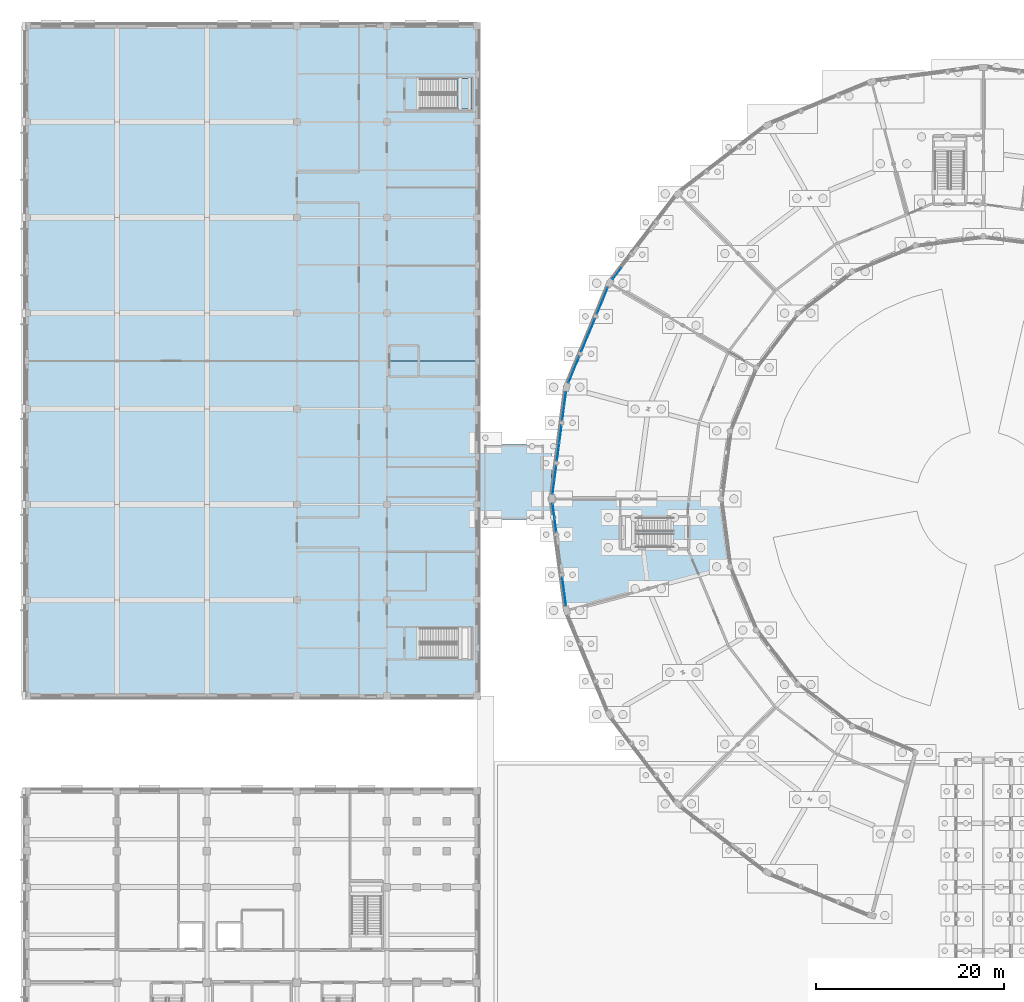
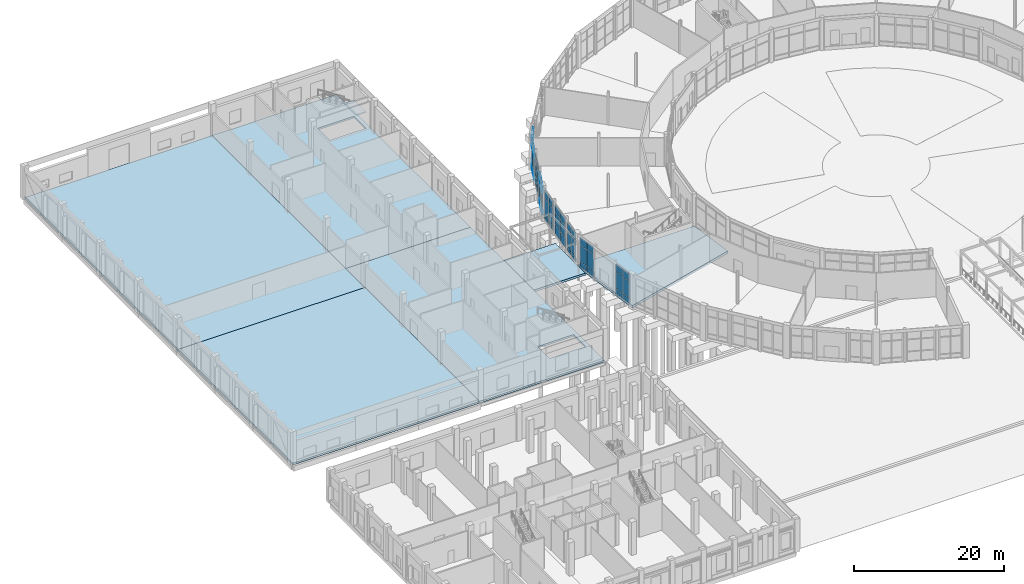
# One storey, part 88 of 137: 51 plates, 7 slabs, 10 elements without a shape of their own.
"""IFC4 building model written with IfcOpenShell, lengths in metres."""

from ifc_helpers import new_model, si_unit, direction, frame, origin, origin_2d, place, context, subcontext, project, spatial, polyline, rectangle, outline, extrude, material, layer, layer_set, type_object, element, aggregate, save


model = new_model("IFC4")

# Units and contexts
model_context = context("Model", 3, precision=1e-05, world=origin(), true_north=direction((0.0, 1.0)))
body_context = subcontext(model_context, "Body", "Model", "MODEL_VIEW")
ifc_project = project(units=[si_unit("LENGTHUNIT", "METRE"), si_unit("AREAUNIT", "SQUARE_METRE"), si_unit("VOLUMEUNIT", "CUBIC_METRE"), si_unit("PLANEANGLEUNIT", "RADIAN"), si_unit("MASSUNIT", "GRAM", prefix="KILO")], contexts=[model_context])

# Site, building, storey
site_placement = place(None, origin())
site = spatial("IfcSite", under=ifc_project, at=site_placement, CompositionType="ELEMENT")
building_placement = place(site_placement, origin())
building = spatial("IfcBuilding", under=site, at=building_placement, Name="Vondelvale Polytechnic", CompositionType="ELEMENT")
storey_placement = place(building_placement, origin())
storey = spatial("IfcBuildingStorey", under=building, at=storey_placement, Name="L00", CompositionType="ELEMENT", Elevation=0.0)

# Curtain wall, plates
ifc_material_1 = material(Name="Glulam GL18 structural Tasmanian oak (fb = 42 MPa)", Category="wood")
curtain_wall_type = type_object("IfcCurtainWallType", Name="CW-RING-OUTER", PredefinedType="NOTDEFINED", material=ifc_material_1)
curtain_wall_1_placement = place(storey_placement, origin())
curtain_wall_1 = element("IfcCurtainWall", 1, at=curtain_wall_1_placement, inside=storey, type_object=curtain_wall_type, Name="L00 architectural curtain wall CW-04-212", PredefinedType="NOTDEFINED")
ifc_material_2 = material(Name="Double-glazed low-E insulated architectural glass", Category="glass")
ifc_layer_1 = layer(ifc_material_2, 0.028076171875)
ifc_layer_set_1 = layer_set([ifc_layer_1], Name="CW-PANEL-GLAZED")
plate_type_1 = type_object("IfcPlateType", Name="CW-PANEL-GLAZED", PredefinedType="CURTAIN_PANEL", material=ifc_layer_set_1)
plate_1_placement = place(storey_placement, frame((62.939697265625, 96.012451171875, 0.8798828125), z_axis=(0.0, 0.0, 1.0), x_axis=(-0.608763610584, -0.793351666305, 0.0)))
plate_1 = element("IfcPlate", 2, at=plate_1_placement, type_object=plate_type_1, Name="CW-04-212 panel 2.2", PredefinedType="CURTAIN_PANEL", context=body_context, shape_type="SweptSolid", body=[
    extrude(rectangle(XDim=1.454345703125, YDim=0.028076171875, at=origin_2d()), origin(), (0.0, 0.0, 1.0), 2.659912109375),
])
plate_2_placement = place(storey_placement, frame((62.939697265625, 96.012451171875, 3.60009765625), z_axis=(0.0, 0.0, 1.0), x_axis=(-0.608763610584, -0.793351666305, 0.0)))
plate_2 = element("IfcPlate", 3, at=plate_2_placement, type_object=plate_type_1, Name="CW-04-212 panel 2.3", PredefinedType="CURTAIN_PANEL", context=body_context, shape_type="SweptSolid", body=[
    extrude(rectangle(XDim=1.454345703125, YDim=0.028076171875, at=origin_2d()), origin(), (0.0, 0.0, 1.0), 1.260009765625),
])

curtain_wall_2_placement = place(storey_placement, origin())
curtain_wall_2 = element("IfcCurtainWall", 4, at=curtain_wall_2_placement, inside=storey, type_object=curtain_wall_type, Name="L00 architectural curtain wall CW-04-226", PredefinedType="NOTDEFINED")
plate_3_placement = place(storey_placement, frame((61.674560546875, 93.821044921875, 0.77978515625), z_axis=(0.0, 0.0, 1.0), x_axis=(-0.382679040691, -0.92388135159, 0.0)))
plate_3 = element("IfcPlate", 5, at=plate_3_placement, type_object=plate_type_1, Name="CW-04-226 panel 1.2", PredefinedType="CURTAIN_PANEL", context=body_context, shape_type="SweptSolid", body=[
    extrude(rectangle(XDim=1.454345703125, YDim=0.028076171875, at=origin_2d()), origin(), (0.0, 0.0, 1.0), 2.760009765625),
])
plate_4_placement = place(storey_placement, frame((61.674560546875, 93.821044921875, 3.60009765625), z_axis=(0.0, 0.0, 1.0), x_axis=(-0.382679040691, -0.92388135159, 0.0)))
plate_4 = element("IfcPlate", 6, at=plate_4_placement, type_object=plate_type_1, Name="CW-04-226 panel 1.3", PredefinedType="CURTAIN_PANEL", context=body_context, shape_type="SweptSolid", body=[
    extrude(rectangle(XDim=1.454345703125, YDim=0.028076171875, at=origin_2d()), origin(), (0.0, 0.0, 1.0), 1.260009765625),
])
plate_5_placement = place(storey_placement, frame((61.093017578125, 92.417236328125, 0.77978515625), z_axis=(0.0, 0.0, 1.0), x_axis=(-0.382679040691, -0.92388135159, 0.0)))
plate_5 = element("IfcPlate", 7, at=plate_5_placement, type_object=plate_type_1, Name="CW-04-226 panel 2.2", PredefinedType="CURTAIN_PANEL", context=body_context, shape_type="SweptSolid", body=[
    extrude(rectangle(XDim=1.454345703125, YDim=0.028076171875, at=origin_2d()), origin(), (0.0, 0.0, 1.0), 2.760009765625),
])
plate_6_placement = place(storey_placement, frame((61.093017578125, 92.417236328125, 3.60009765625), z_axis=(0.0, 0.0, 1.0), x_axis=(-0.382679040691, -0.92388135159, 0.0)))
plate_6 = element("IfcPlate", 8, at=plate_6_placement, type_object=plate_type_1, Name="CW-04-226 panel 2.3", PredefinedType="CURTAIN_PANEL", context=body_context, shape_type="SweptSolid", body=[
    extrude(rectangle(XDim=1.454345703125, YDim=0.028076171875, at=origin_2d()), origin(), (0.0, 0.0, 1.0), 1.260009765625),
])

curtain_wall_3_placement = place(storey_placement, origin())
curtain_wall_3 = element("IfcCurtainWall", 9, at=curtain_wall_3_placement, inside=storey, type_object=curtain_wall_type, Name="L00 architectural curtain wall CW-04-228", PredefinedType="NOTDEFINED")
plate_7_placement = place(storey_placement, frame((58.63720703125, 86.488525390625, 0.77978515625), z_axis=(0.0, 0.0, 1.0), x_axis=(-0.382679040691, -0.92388135159, 0.0)))
plate_7 = element("IfcPlate", 10, at=plate_7_placement, type_object=plate_type_1, Name="CW-04-228 panel 1.2", PredefinedType="CURTAIN_PANEL", context=body_context, shape_type="SweptSolid", body=[
    extrude(rectangle(XDim=1.454345703125, YDim=0.028076171875, at=origin_2d()), origin(), (0.0, 0.0, 1.0), 2.760009765625),
])
plate_8_placement = place(storey_placement, frame((58.63720703125, 86.488525390625, 3.60009765625), z_axis=(0.0, 0.0, 1.0), x_axis=(-0.382679040691, -0.92388135159, 0.0)))
plate_8 = element("IfcPlate", 11, at=plate_8_placement, type_object=plate_type_1, Name="CW-04-228 panel 1.3", PredefinedType="CURTAIN_PANEL", context=body_context, shape_type="SweptSolid", body=[
    extrude(rectangle(XDim=1.454345703125, YDim=0.028076171875, at=origin_2d()), origin(), (0.0, 0.0, 1.0), 1.260009765625),
])
plate_9_placement = place(storey_placement, frame((58.0556640625, 85.084716796875, 0.77978515625), z_axis=(0.0, 0.0, 1.0), x_axis=(-0.382679040691, -0.92388135159, 0.0)))
plate_9 = element("IfcPlate", 12, at=plate_9_placement, type_object=plate_type_1, Name="CW-04-228 panel 2.2", PredefinedType="CURTAIN_PANEL", context=body_context, shape_type="SweptSolid", body=[
    extrude(rectangle(XDim=1.454345703125, YDim=0.028076171875, at=origin_2d()), origin(), (0.0, 0.0, 1.0), 2.760009765625),
])
plate_10_placement = place(storey_placement, frame((58.0556640625, 85.084716796875, 3.60009765625), z_axis=(0.0, 0.0, 1.0), x_axis=(-0.382679040691, -0.92388135159, 0.0)))
plate_10 = element("IfcPlate", 13, at=plate_10_placement, type_object=plate_type_1, Name="CW-04-228 panel 2.3", PredefinedType="CURTAIN_PANEL", context=body_context, shape_type="SweptSolid", body=[
    extrude(rectangle(XDim=1.454345703125, YDim=0.028076171875, at=origin_2d()), origin(), (0.0, 0.0, 1.0), 1.260009765625),
])

curtain_wall_4_placement = place(storey_placement, origin())
curtain_wall_4 = element("IfcCurtainWall", 14, at=curtain_wall_4_placement, inside=storey, type_object=curtain_wall_type, Name="L00 architectural curtain wall CW-04-241", PredefinedType="NOTDEFINED")
plate_11_placement = place(storey_placement, frame((57.40087890625, 82.640380859375, 0.77978515625), z_axis=(0.0, 0.0, 1.0), x_axis=(-0.130523690099, -0.991445190781, 0.0)))
plate_11 = element("IfcPlate", 15, at=plate_11_placement, type_object=plate_type_1, Name="CW-04-241 panel 1.2", PredefinedType="CURTAIN_PANEL", context=body_context, shape_type="SweptSolid", body=[
    extrude(rectangle(XDim=1.454345703125, YDim=0.028076171875, at=origin_2d()), origin(), (0.0, 0.0, 1.0), 2.760009765625),
])
plate_12_placement = place(storey_placement, frame((57.40087890625, 82.640380859375, 3.60009765625), z_axis=(0.0, 0.0, 1.0), x_axis=(-0.130523690099, -0.991445190781, 0.0)))
plate_12 = element("IfcPlate", 16, at=plate_12_placement, type_object=plate_type_1, Name="CW-04-241 panel 1.3", PredefinedType="CURTAIN_PANEL", context=body_context, shape_type="SweptSolid", body=[
    extrude(rectangle(XDim=1.454345703125, YDim=0.028076171875, at=origin_2d()), origin(), (0.0, 0.0, 1.0), 1.260009765625),
])
plate_13_placement = place(storey_placement, frame((57.202392578125, 81.134033203125, 0.77978515625), z_axis=(0.0, 0.0, 1.0), x_axis=(-0.130523690099, -0.991445190781, 0.0)))
plate_13 = element("IfcPlate", 17, at=plate_13_placement, type_object=plate_type_1, Name="CW-04-241 panel 2.2", PredefinedType="CURTAIN_PANEL", context=body_context, shape_type="SweptSolid", body=[
    extrude(rectangle(XDim=1.454345703125, YDim=0.028076171875, at=origin_2d()), origin(), (0.0, 0.0, 1.0), 2.760009765625),
])
plate_14_placement = place(storey_placement, frame((57.202392578125, 81.134033203125, 3.60009765625), z_axis=(0.0, 0.0, 1.0), x_axis=(-0.130523690099, -0.991445190781, 0.0)))
plate_14 = element("IfcPlate", 18, at=plate_14_placement, type_object=plate_type_1, Name="CW-04-241 panel 2.3", PredefinedType="CURTAIN_PANEL", context=body_context, shape_type="SweptSolid", body=[
    extrude(rectangle(XDim=1.454345703125, YDim=0.028076171875, at=origin_2d()), origin(), (0.0, 0.0, 1.0), 1.260009765625),
])

curtain_wall_5_placement = place(storey_placement, origin())
curtain_wall_5 = element("IfcCurtainWall", 19, at=curtain_wall_5_placement, inside=storey, type_object=curtain_wall_type, Name="L00 architectural curtain wall CW-04-242", PredefinedType="NOTDEFINED")
plate_15_placement = place(storey_placement, frame((56.906005859375, 78.8818359375, 1.6298828125), z_axis=(0.0, 0.0, 1.0), x_axis=(-0.130497251349, -0.991448671082, 0.0)))
plate_15 = element("IfcPlate", 20, at=plate_15_placement, type_object=plate_type_1, Name="CW-04-242 panel 1.2", PredefinedType="CURTAIN_PANEL", context=body_context, shape_type="SweptSolid", body=[
    extrude(rectangle(XDim=1.80908203125, YDim=0.028076171875, at=origin_2d()), origin(), (0.0, 0.0, 1.0), 1.909912109375),
])
plate_16_placement = place(storey_placement, frame((56.906005859375, 78.8818359375, 3.60009765625), z_axis=(0.0, 0.0, 1.0), x_axis=(-0.130497251349, -0.991448671082, 0.0)))
plate_16 = element("IfcPlate", 21, at=plate_16_placement, type_object=plate_type_1, Name="CW-04-242 panel 1.3", PredefinedType="CURTAIN_PANEL", context=body_context, shape_type="SweptSolid", body=[
    extrude(rectangle(XDim=1.80908203125, YDim=0.028076171875, at=origin_2d()), origin(), (0.0, 0.0, 1.0), 1.260009765625),
])
plate_17_placement = place(storey_placement, frame((56.661376953125, 77.02392578125, 1.6298828125), z_axis=(0.0, 0.0, 1.0), x_axis=(-0.130497251349, -0.991448671082, 0.0)))
plate_17 = element("IfcPlate", 22, at=plate_17_placement, type_object=plate_type_1, Name="CW-04-242 panel 2.2", PredefinedType="CURTAIN_PANEL", context=body_context, shape_type="SweptSolid", body=[
    extrude(rectangle(XDim=1.80908203125, YDim=0.028076171875, at=origin_2d()), origin(), (0.0, 0.0, 1.0), 1.909912109375),
])
plate_18_placement = place(storey_placement, frame((56.661376953125, 77.02392578125, 3.60009765625), z_axis=(0.0, 0.0, 1.0), x_axis=(-0.130497251349, -0.991448671082, 0.0)))
plate_18 = element("IfcPlate", 23, at=plate_18_placement, type_object=plate_type_1, Name="CW-04-242 panel 2.3", PredefinedType="CURTAIN_PANEL", context=body_context, shape_type="SweptSolid", body=[
    extrude(rectangle(XDim=1.80908203125, YDim=0.028076171875, at=origin_2d()), origin(), (0.0, 0.0, 1.0), 1.260009765625),
])

curtain_wall_6_placement = place(storey_placement, origin())
curtain_wall_6 = element("IfcCurtainWall", 24, at=curtain_wall_6_placement, inside=storey, type_object=curtain_wall_type, Name="L00 architectural curtain wall CW-04-243", PredefinedType="NOTDEFINED")
plate_19_placement = place(storey_placement, frame((56.364990234375, 74.771728515625, 0.77978515625), z_axis=(0.0, 0.0, 1.0), x_axis=(-0.130523690099, -0.991445190781, 0.0)))
plate_19 = element("IfcPlate", 25, at=plate_19_placement, type_object=plate_type_1, Name="CW-04-243 panel 1.2", PredefinedType="CURTAIN_PANEL", context=body_context, shape_type="SweptSolid", body=[
    extrude(rectangle(XDim=1.454345703125, YDim=0.028076171875, at=origin_2d()), origin(), (0.0, 0.0, 1.0), 2.760009765625),
])
plate_20_placement = place(storey_placement, frame((56.364990234375, 74.771728515625, 3.60009765625), z_axis=(0.0, 0.0, 1.0), x_axis=(-0.130523690099, -0.991445190781, 0.0)))
plate_20 = element("IfcPlate", 26, at=plate_20_placement, type_object=plate_type_1, Name="CW-04-243 panel 1.3", PredefinedType="CURTAIN_PANEL", context=body_context, shape_type="SweptSolid", body=[
    extrude(rectangle(XDim=1.454345703125, YDim=0.028076171875, at=origin_2d()), origin(), (0.0, 0.0, 1.0), 1.260009765625),
])
plate_21_placement = place(storey_placement, frame((56.16650390625, 73.265380859375, 0.77978515625), z_axis=(0.0, 0.0, 1.0), x_axis=(-0.130523690099, -0.991445190781, 0.0)))
plate_21 = element("IfcPlate", 27, at=plate_21_placement, type_object=plate_type_1, Name="CW-04-243 panel 2.2", PredefinedType="CURTAIN_PANEL", context=body_context, shape_type="SweptSolid", body=[
    extrude(rectangle(XDim=1.454345703125, YDim=0.028076171875, at=origin_2d()), origin(), (0.0, 0.0, 1.0), 2.760009765625),
])
plate_22_placement = place(storey_placement, frame((56.16650390625, 73.265380859375, 3.60009765625), z_axis=(0.0, 0.0, 1.0), x_axis=(-0.130523690099, -0.991445190781, 0.0)))
plate_22 = element("IfcPlate", 28, at=plate_22_placement, type_object=plate_type_1, Name="CW-04-243 panel 2.3", PredefinedType="CURTAIN_PANEL", context=body_context, shape_type="SweptSolid", body=[
    extrude(rectangle(XDim=1.454345703125, YDim=0.028076171875, at=origin_2d()), origin(), (0.0, 0.0, 1.0), 1.260009765625),
])

curtain_wall_7_placement = place(storey_placement, origin())
curtain_wall_7 = element("IfcCurtainWall", 29, at=curtain_wall_7_placement, inside=storey, type_object=curtain_wall_type, Name="L00 architectural curtain wall CW-04-257", PredefinedType="NOTDEFINED")
plate_23_placement = place(storey_placement, frame((56.16650390625, 70.734619140625, 0.8798828125), z_axis=(0.0, 0.0, 1.0), x_axis=(0.130523690099, -0.991445190781, 0.0)))
plate_23 = element("IfcPlate", 30, at=plate_23_placement, type_object=plate_type_1, Name="CW-04-257 panel 1.2", PredefinedType="CURTAIN_PANEL", context=body_context, shape_type="SweptSolid", body=[
    extrude(rectangle(XDim=1.454345703125, YDim=0.028076171875, at=origin_2d()), origin(), (0.0, 0.0, 1.0), 2.659912109375),
])
plate_24_placement = place(storey_placement, frame((56.16650390625, 70.734619140625, 3.60009765625), z_axis=(0.0, 0.0, 1.0), x_axis=(0.130523690099, -0.991445190781, 0.0)))
plate_24 = element("IfcPlate", 31, at=plate_24_placement, type_object=plate_type_1, Name="CW-04-257 panel 1.3", PredefinedType="CURTAIN_PANEL", context=body_context, shape_type="SweptSolid", body=[
    extrude(rectangle(XDim=1.454345703125, YDim=0.028076171875, at=origin_2d()), origin(), (0.0, 0.0, 1.0), 1.260009765625),
])
plate_25_placement = place(storey_placement, frame((56.364990234375, 69.228271484375, 0.8798828125), z_axis=(0.0, 0.0, 1.0), x_axis=(0.130523690099, -0.991445190781, 0.0)))
plate_25 = element("IfcPlate", 32, at=plate_25_placement, type_object=plate_type_1, Name="CW-04-257 panel 2.2", PredefinedType="CURTAIN_PANEL", context=body_context, shape_type="SweptSolid", body=[
    extrude(rectangle(XDim=1.454345703125, YDim=0.028076171875, at=origin_2d()), origin(), (0.0, 0.0, 1.0), 2.659912109375),
])
plate_26_placement = place(storey_placement, frame((56.364990234375, 69.228271484375, 3.60009765625), z_axis=(0.0, 0.0, 1.0), x_axis=(0.130523690099, -0.991445190781, 0.0)))
plate_26 = element("IfcPlate", 33, at=plate_26_placement, type_object=plate_type_1, Name="CW-04-257 panel 2.3", PredefinedType="CURTAIN_PANEL", context=body_context, shape_type="SweptSolid", body=[
    extrude(rectangle(XDim=1.454345703125, YDim=0.028076171875, at=origin_2d()), origin(), (0.0, 0.0, 1.0), 1.260009765625),
])

curtain_wall_8_placement = place(storey_placement, origin())
curtain_wall_8 = element("IfcCurtainWall", 34, at=curtain_wall_8_placement, inside=storey, type_object=curtain_wall_type, Name="L00 architectural curtain wall CW-04-258", PredefinedType="NOTDEFINED")
plate_27_placement = place(storey_placement, frame((57.202392578125, 62.865966796875, 0.8798828125), z_axis=(0.0, 0.0, 1.0), x_axis=(0.130523690099, -0.991445190781, 0.0)))
plate_27 = element("IfcPlate", 35, at=plate_27_placement, type_object=plate_type_1, Name="CW-04-258 panel 1.2", PredefinedType="CURTAIN_PANEL", context=body_context, shape_type="SweptSolid", body=[
    extrude(rectangle(XDim=1.454345703125, YDim=0.028076171875, at=origin_2d()), origin(), (0.0, 0.0, 1.0), 2.659912109375),
])
plate_28_placement = place(storey_placement, frame((57.202392578125, 62.865966796875, 3.60009765625), z_axis=(0.0, 0.0, 1.0), x_axis=(0.130523690099, -0.991445190781, 0.0)))
plate_28 = element("IfcPlate", 36, at=plate_28_placement, type_object=plate_type_1, Name="CW-04-258 panel 1.3", PredefinedType="CURTAIN_PANEL", context=body_context, shape_type="SweptSolid", body=[
    extrude(rectangle(XDim=1.454345703125, YDim=0.028076171875, at=origin_2d()), origin(), (0.0, 0.0, 1.0), 1.260009765625),
])
plate_29_placement = place(storey_placement, frame((57.40087890625, 61.359619140625, 0.8798828125), z_axis=(0.0, 0.0, 1.0), x_axis=(0.130523690099, -0.991445190781, 0.0)))
plate_29 = element("IfcPlate", 37, at=plate_29_placement, type_object=plate_type_1, Name="CW-04-258 panel 2.2", PredefinedType="CURTAIN_PANEL", context=body_context, shape_type="SweptSolid", body=[
    extrude(rectangle(XDim=1.454345703125, YDim=0.028076171875, at=origin_2d()), origin(), (0.0, 0.0, 1.0), 2.659912109375),
])
plate_30_placement = place(storey_placement, frame((57.40087890625, 61.359619140625, 3.60009765625), z_axis=(0.0, 0.0, 1.0), x_axis=(0.130523690099, -0.991445190781, 0.0)))
plate_30 = element("IfcPlate", 38, at=plate_30_placement, type_object=plate_type_1, Name="CW-04-258 panel 2.3", PredefinedType="CURTAIN_PANEL", context=body_context, shape_type="SweptSolid", body=[
    extrude(rectangle(XDim=1.454345703125, YDim=0.028076171875, at=origin_2d()), origin(), (0.0, 0.0, 1.0), 1.260009765625),
])

# Plate
ifc_material_3 = material(Name="Engineered Tasmanian oak studio and bridge joinery")
ifc_layer_2 = layer(ifc_material_3, 0.0419921875)
ifc_layer_set_2 = layer_set([ifc_layer_2], Name="CW-PANEL-OAK")
plate_type_2 = type_object("IfcPlateType", Name="CW-PANEL-OAK", PredefinedType="CURTAIN_PANEL", material=ifc_layer_set_2)
plate_31_placement = place(storey_placement, frame((62.939697265625, 96.012451171875, 0.06005859375), z_axis=(0.0, 0.0, 1.0), x_axis=(-0.608763610584, -0.793351666305, 0.0)))
plate_31 = element("IfcPlate", 39, at=plate_31_placement, type_object=plate_type_2, Name="CW-04-212 panel 2.1", PredefinedType="CURTAIN_PANEL", context=body_context, shape_type="SweptSolid", body=[
    extrude(rectangle(XDim=1.454345703125, YDim=0.0419921875, at=origin_2d()), origin(), (0.0, 0.0, 1.0), 0.760009765625),
])

aggregate(curtain_wall_1, [plate_31, plate_1, plate_2])

# Curtain wall, plates
curtain_wall_9_placement = place(storey_placement, origin())
curtain_wall_9 = element("IfcCurtainWall", 40, at=curtain_wall_9_placement, inside=storey, type_object=curtain_wall_type, Name="L00 architectural curtain wall CW-04-227", PredefinedType="NOTDEFINED")
plate_32_placement = place(storey_placement, frame((60.2236328125, 90.318603515625, 0.06005859375), z_axis=(0.0, 0.0, 1.0), x_axis=(-0.382694599123, -0.92387490701, 0.0)))
plate_32 = element("IfcPlate", 41, at=plate_32_placement, type_object=plate_type_2, Name="CW-04-227 panel 1.1", PredefinedType="CURTAIN_PANEL", context=body_context, shape_type="SweptSolid", body=[
    extrude(rectangle(XDim=1.80908203125, YDim=0.0419921875, at=origin_2d()), origin(), (0.0, 0.0, 1.0), 1.510009765625),
])
plate_33_placement = place(storey_placement, frame((60.2236328125, 90.318603515625, 1.6298828125), z_axis=(0.0, 0.0, 1.0), x_axis=(-0.382694599123, -0.92387490701, 0.0)))
plate_33 = element("IfcPlate", 42, at=plate_33_placement, type_object=plate_type_2, Name="CW-04-227 panel 1.2", PredefinedType="CURTAIN_PANEL", context=body_context, shape_type="SweptSolid", body=[
    extrude(rectangle(XDim=1.80908203125, YDim=0.0419921875, at=origin_2d()), origin(), (0.0, 0.0, 1.0), 1.909912109375),
])
plate_34_placement = place(storey_placement, frame((60.2236328125, 90.318603515625, 3.60009765625), z_axis=(0.0, 0.0, 1.0), x_axis=(-0.382694599123, -0.92387490701, 0.0)))
plate_34 = element("IfcPlate", 43, at=plate_34_placement, type_object=plate_type_2, Name="CW-04-227 panel 1.3", PredefinedType="CURTAIN_PANEL", context=body_context, shape_type="SweptSolid", body=[
    extrude(rectangle(XDim=1.80908203125, YDim=0.0419921875, at=origin_2d()), origin(), (0.0, 0.0, 1.0), 1.260009765625),
])
plate_35_placement = place(storey_placement, frame((59.506591796875, 88.587158203125, 0.06005859375), z_axis=(0.0, 0.0, 1.0), x_axis=(-0.382694599123, -0.92387490701, 0.0)))
plate_35 = element("IfcPlate", 44, at=plate_35_placement, type_object=plate_type_2, Name="CW-04-227 panel 2.1", PredefinedType="CURTAIN_PANEL", context=body_context, shape_type="SweptSolid", body=[
    extrude(rectangle(XDim=1.80908203125, YDim=0.0419921875, at=origin_2d()), origin(), (0.0, 0.0, 1.0), 1.510009765625),
])
plate_36_placement = place(storey_placement, frame((59.506591796875, 88.587158203125, 1.6298828125), z_axis=(0.0, 0.0, 1.0), x_axis=(-0.382694599123, -0.92387490701, 0.0)))
plate_36 = element("IfcPlate", 45, at=plate_36_placement, type_object=plate_type_2, Name="CW-04-227 panel 2.2", PredefinedType="CURTAIN_PANEL", context=body_context, shape_type="SweptSolid", body=[
    extrude(rectangle(XDim=1.80908203125, YDim=0.0419921875, at=origin_2d()), origin(), (0.0, 0.0, 1.0), 1.909912109375),
])
plate_37_placement = place(storey_placement, frame((59.506591796875, 88.587158203125, 3.60009765625), z_axis=(0.0, 0.0, 1.0), x_axis=(-0.382694599123, -0.92387490701, 0.0)))
plate_37 = element("IfcPlate", 46, at=plate_37_placement, type_object=plate_type_2, Name="CW-04-227 panel 2.3", PredefinedType="CURTAIN_PANEL", context=body_context, shape_type="SweptSolid", body=[
    extrude(rectangle(XDim=1.80908203125, YDim=0.0419921875, at=origin_2d()), origin(), (0.0, 0.0, 1.0), 1.260009765625),
])
aggregate(curtain_wall_9, [plate_32, plate_33, plate_34, plate_35, plate_36, plate_37])

# Plate
plate_38_placement = place(storey_placement, frame((56.906005859375, 78.8818359375, 0.06005859375), z_axis=(0.0, 0.0, 1.0), x_axis=(-0.130497251349, -0.991448671082, 0.0)))
plate_38 = element("IfcPlate", 47, at=plate_38_placement, type_object=plate_type_2, Name="CW-04-242 panel 1.1", PredefinedType="CURTAIN_PANEL", context=body_context, shape_type="SweptSolid", body=[
    extrude(rectangle(XDim=1.80908203125, YDim=0.0419921875, at=origin_2d()), origin(), (0.0, 0.0, 1.0), 1.510009765625),
])

plate_39_placement = place(storey_placement, frame((56.661376953125, 77.02392578125, 0.06005859375), z_axis=(0.0, 0.0, 1.0), x_axis=(-0.130497251349, -0.991448671082, 0.0)))
plate_39 = element("IfcPlate", 48, at=plate_39_placement, type_object=plate_type_2, Name="CW-04-242 panel 2.1", PredefinedType="CURTAIN_PANEL", context=body_context, shape_type="SweptSolid", body=[
    extrude(rectangle(XDim=1.80908203125, YDim=0.0419921875, at=origin_2d()), origin(), (0.0, 0.0, 1.0), 1.510009765625),
])

aggregate(curtain_wall_5, [plate_38, plate_15, plate_16, plate_39, plate_17, plate_18])

plate_40_placement = place(storey_placement, frame((56.16650390625, 70.734619140625, 0.06005859375), z_axis=(0.0, 0.0, 1.0), x_axis=(0.130523690099, -0.991445190781, 0.0)))
plate_40 = element("IfcPlate", 49, at=plate_40_placement, type_object=plate_type_2, Name="CW-04-257 panel 1.1", PredefinedType="CURTAIN_PANEL", context=body_context, shape_type="SweptSolid", body=[
    extrude(rectangle(XDim=1.454345703125, YDim=0.0419921875, at=origin_2d()), origin(), (0.0, 0.0, 1.0), 0.760009765625),
])

plate_41_placement = place(storey_placement, frame((56.364990234375, 69.228271484375, 0.06005859375), z_axis=(0.0, 0.0, 1.0), x_axis=(0.130523690099, -0.991445190781, 0.0)))
plate_41 = element("IfcPlate", 50, at=plate_41_placement, type_object=plate_type_2, Name="CW-04-257 panel 2.1", PredefinedType="CURTAIN_PANEL", context=body_context, shape_type="SweptSolid", body=[
    extrude(rectangle(XDim=1.454345703125, YDim=0.0419921875, at=origin_2d()), origin(), (0.0, 0.0, 1.0), 0.760009765625),
])

aggregate(curtain_wall_7, [plate_40, plate_23, plate_24, plate_41, plate_25, plate_26])

plate_42_placement = place(storey_placement, frame((57.202392578125, 62.865966796875, 0.06005859375), z_axis=(0.0, 0.0, 1.0), x_axis=(0.130523690099, -0.991445190781, 0.0)))
plate_42 = element("IfcPlate", 51, at=plate_42_placement, type_object=plate_type_2, Name="CW-04-258 panel 1.1", PredefinedType="CURTAIN_PANEL", context=body_context, shape_type="SweptSolid", body=[
    extrude(rectangle(XDim=1.454345703125, YDim=0.0419921875, at=origin_2d()), origin(), (0.0, 0.0, 1.0), 0.760009765625),
])

plate_43_placement = place(storey_placement, frame((57.40087890625, 61.359619140625, 0.06005859375), z_axis=(0.0, 0.0, 1.0), x_axis=(0.130523690099, -0.991445190781, 0.0)))
plate_43 = element("IfcPlate", 52, at=plate_43_placement, type_object=plate_type_2, Name="CW-04-258 panel 2.1", PredefinedType="CURTAIN_PANEL", context=body_context, shape_type="SweptSolid", body=[
    extrude(rectangle(XDim=1.454345703125, YDim=0.0419921875, at=origin_2d()), origin(), (0.0, 0.0, 1.0), 0.760009765625),
])

aggregate(curtain_wall_8, [plate_42, plate_27, plate_28, plate_43, plate_29, plate_30])

ifc_material_4 = material(Name="Kiln-fired architectural terracotta", Category="masonry")
ifc_layer_3 = layer(ifc_material_4, 0.035888671875)
ifc_layer_set_3 = layer_set([ifc_layer_3], Name="CW-PANEL-SPANDREL")
plate_type_3 = type_object("IfcPlateType", Name="CW-PANEL-SPANDREL", PredefinedType="CURTAIN_PANEL", material=ifc_layer_set_3)
plate_44_placement = place(storey_placement, frame((61.674560546875, 93.821044921875, 0.06005859375), z_axis=(0.0, 0.0, 1.0), x_axis=(-0.382679040691, -0.92388135159, 0.0)))
plate_44 = element("IfcPlate", 53, at=plate_44_placement, type_object=plate_type_3, Name="CW-04-226 panel 1.1", PredefinedType="CURTAIN_PANEL", context=body_context, shape_type="SweptSolid", body=[
    extrude(rectangle(XDim=1.454345703125, YDim=0.035888671875, at=origin_2d()), origin(), (0.0, 0.0, 1.0), 0.659912109375),
])

plate_45_placement = place(storey_placement, frame((61.093017578125, 92.417236328125, 0.06005859375), z_axis=(0.0, 0.0, 1.0), x_axis=(-0.382679040691, -0.92388135159, 0.0)))
plate_45 = element("IfcPlate", 54, at=plate_45_placement, type_object=plate_type_3, Name="CW-04-226 panel 2.1", PredefinedType="CURTAIN_PANEL", context=body_context, shape_type="SweptSolid", body=[
    extrude(rectangle(XDim=1.454345703125, YDim=0.035888671875, at=origin_2d()), origin(), (0.0, 0.0, 1.0), 0.659912109375),
])

aggregate(curtain_wall_2, [plate_44, plate_3, plate_4, plate_45, plate_5, plate_6])

plate_46_placement = place(storey_placement, frame((58.63720703125, 86.488525390625, 0.06005859375), z_axis=(0.0, 0.0, 1.0), x_axis=(-0.382679040691, -0.92388135159, 0.0)))
plate_46 = element("IfcPlate", 55, at=plate_46_placement, type_object=plate_type_3, Name="CW-04-228 panel 1.1", PredefinedType="CURTAIN_PANEL", context=body_context, shape_type="SweptSolid", body=[
    extrude(rectangle(XDim=1.454345703125, YDim=0.035888671875, at=origin_2d()), origin(), (0.0, 0.0, 1.0), 0.659912109375),
])

plate_47_placement = place(storey_placement, frame((58.0556640625, 85.084716796875, 0.06005859375), z_axis=(0.0, 0.0, 1.0), x_axis=(-0.382679040691, -0.92388135159, 0.0)))
plate_47 = element("IfcPlate", 56, at=plate_47_placement, type_object=plate_type_3, Name="CW-04-228 panel 2.1", PredefinedType="CURTAIN_PANEL", context=body_context, shape_type="SweptSolid", body=[
    extrude(rectangle(XDim=1.454345703125, YDim=0.035888671875, at=origin_2d()), origin(), (0.0, 0.0, 1.0), 0.659912109375),
])

aggregate(curtain_wall_3, [plate_46, plate_7, plate_8, plate_47, plate_9, plate_10])

plate_48_placement = place(storey_placement, frame((57.40087890625, 82.640380859375, 0.06005859375), z_axis=(0.0, 0.0, 1.0), x_axis=(-0.130523690099, -0.991445190781, 0.0)))
plate_48 = element("IfcPlate", 57, at=plate_48_placement, type_object=plate_type_3, Name="CW-04-241 panel 1.1", PredefinedType="CURTAIN_PANEL", context=body_context, shape_type="SweptSolid", body=[
    extrude(rectangle(XDim=1.454345703125, YDim=0.035888671875, at=origin_2d()), origin(), (0.0, 0.0, 1.0), 0.659912109375),
])

plate_49_placement = place(storey_placement, frame((57.202392578125, 81.134033203125, 0.06005859375), z_axis=(0.0, 0.0, 1.0), x_axis=(-0.130523690099, -0.991445190781, 0.0)))
plate_49 = element("IfcPlate", 58, at=plate_49_placement, type_object=plate_type_3, Name="CW-04-241 panel 2.1", PredefinedType="CURTAIN_PANEL", context=body_context, shape_type="SweptSolid", body=[
    extrude(rectangle(XDim=1.454345703125, YDim=0.035888671875, at=origin_2d()), origin(), (0.0, 0.0, 1.0), 0.659912109375),
])

aggregate(curtain_wall_4, [plate_48, plate_11, plate_12, plate_49, plate_13, plate_14])

plate_50_placement = place(storey_placement, frame((56.364990234375, 74.771728515625, 0.06005859375), z_axis=(0.0, 0.0, 1.0), x_axis=(-0.130523690099, -0.991445190781, 0.0)))
plate_50 = element("IfcPlate", 59, at=plate_50_placement, type_object=plate_type_3, Name="CW-04-243 panel 1.1", PredefinedType="CURTAIN_PANEL", context=body_context, shape_type="SweptSolid", body=[
    extrude(rectangle(XDim=1.454345703125, YDim=0.035888671875, at=origin_2d()), origin(), (0.0, 0.0, 1.0), 0.659912109375),
])

plate_51_placement = place(storey_placement, frame((56.16650390625, 73.265380859375, 0.06005859375), z_axis=(0.0, 0.0, 1.0), x_axis=(-0.130523690099, -0.991445190781, 0.0)))
plate_51 = element("IfcPlate", 60, at=plate_51_placement, type_object=plate_type_3, Name="CW-04-243 panel 2.1", PredefinedType="CURTAIN_PANEL", context=body_context, shape_type="SweptSolid", body=[
    extrude(rectangle(XDim=1.454345703125, YDim=0.035888671875, at=origin_2d()), origin(), (0.0, 0.0, 1.0), 0.659912109375),
])

aggregate(curtain_wall_6, [plate_50, plate_19, plate_20, plate_51, plate_21, plate_22])

# Slabs
ifc_material_5 = material(Name="Concrete N40 (f'c = 40 MPa)", Category="concrete")
ifc_layer_4 = layer(ifc_material_5, 0.35009765625)
ifc_layer_set_4 = layer_set([ifc_layer_4], Name="SLB-BASE-350")
slab_type_1 = type_object("IfcSlabType", Name="SLB-BASE-350", PredefinedType="BASESLAB", material=ifc_layer_set_4)
slab_1_placement = place(storey_placement, frame((0.0, 0.0, -0.35009765625)))
element("IfcSlab", 61, at=slab_1_placement, inside=storey, type_object=slab_type_1, Name="L00 West covered public passage slab", PredefinedType="BASESLAB", context=body_context, shape_type="SweptSolid", body=[
    extrude(outline(polyline([(48.02001953125, 69.800048828125), (55.949951171875, 69.800048828125), (55.949951171875, 77.800048828125), (48.02001953125, 77.800048828125), (48.02001953125, 69.800048828125)])), origin(), (0.0, 0.0, 1.0), 0.35009765625),
])
ifc_layer_5 = layer(ifc_material_5, 0.39990234375)
ifc_layer_set_5 = layer_set([ifc_layer_5], Name="SLB-BASE-400")
slab_type_2 = type_object("IfcSlabType", Name="SLB-BASE-400", PredefinedType="BASESLAB", material=ifc_layer_set_5)
slab_2_placement = place(storey_placement, frame((0.0, 0.0, -0.39990234375)))
element("IfcSlab", 62, at=slab_2_placement, inside=storey, type_object=slab_type_2, Name="L00 circular ring sector 12 floor slab", PredefinedType="BASESLAB", context=body_context, shape_type="SweptSolid", body=[
    extrude(outline(polyline([(74.0, 72.0), (56.0, 72.0), (57.5673828125, 60.09423828125), (74.9541015625, 64.753173828125), (74.0, 72.0)])), origin(), (0.0, 0.0, 1.0), 0.39990234375),
])

# Stair, slab
stair_type = type_object("IfcStairType", Name="STR-DOG-1500", PredefinedType="HALF_TURN_STAIR", material=ifc_material_5)
stair_placement = place(storey_placement, origin())
stair = element("IfcStair", 63, at=stair_placement, inside=storey, type_object=stair_type, Name="L00 ST-02", PredefinedType="HALF_TURN_STAIR")
ifc_layer_6 = layer(ifc_material_5, 0.199951171875)
ifc_layer_set_6 = layer_set([ifc_layer_6], Name="SLB-LANDING-200")
slab_type_3 = type_object("IfcSlabType", Name="SLB-LANDING-200", PredefinedType="LANDING", material=ifc_layer_set_6)
slab_3_placement = place(storey_placement, frame((0.0, 0.0, 2.5)))
slab_3 = element("IfcSlab", 64, at=slab_3_placement, type_object=slab_type_3, Name="ST-02 landing 1", PredefinedType="LANDING", context=body_context, shape_type="SweptSolid", body=[
    extrude(outline(polyline([(45.889892578125, 113.60009765625), (47.449951171875, 113.60009765625), (47.449951171875, 116.800048828125), (45.889892578125, 116.800048828125), (45.889892578125, 113.60009765625)])), origin(), (0.0, 0.0, 1.0), 0.199951171875),
])
aggregate(stair, [slab_3])

# Slabs
ifc_layer_7 = layer(ifc_material_5, 0.300048828125)
ifc_layer_set_7 = layer_set([ifc_layer_7], Name="SLB-WORKSHOP-300")
slab_type_4 = type_object("IfcSlabType", Name="SLB-WORKSHOP-300", PredefinedType="FLOOR", material=ifc_layer_set_7)
slab_4_placement = place(storey_placement, frame((0.0, 0.0, -0.300048828125)))
element("IfcSlab", 65, at=slab_4_placement, inside=storey, type_object=slab_type_4, Name="L00 workshop crane hall slab WS", PredefinedType="FLOOR", context=body_context, shape_type="SweptSolid", body=[
    extrude(outline(polyline([(0.0, 51.0), (28.800048828125, 51.0), (28.800048828125, 81.60009765625), (0.0, 81.60009765625), (0.0, 51.0)])), origin(), (0.0, 0.0, 1.0), 0.300048828125),
])
slab_5_placement = place(storey_placement, frame((0.0, 0.0, -0.300048828125)))
element("IfcSlab", 66, at=slab_5_placement, inside=storey, type_object=slab_type_4, Name="L00 workshop crane hall slab WN", PredefinedType="FLOOR", context=body_context, shape_type="SweptSolid", body=[
    extrude(outline(polyline([(0.0, 81.60009765625), (28.800048828125, 81.60009765625), (28.800048828125, 122.39990234375), (0.0, 122.39990234375), (0.0, 81.60009765625)])), origin(), (0.0, 0.0, 1.0), 0.300048828125),
])
slab_6_placement = place(storey_placement, frame((0.0, 0.0, -0.300048828125)))
element("IfcSlab", 67, at=slab_6_placement, inside=storey, type_object=slab_type_4, Name="L00 workshop support slab ES", PredefinedType="FLOOR", context=body_context, shape_type="SweptSolid", body=[
    extrude(outline(polyline([(28.800048828125, 51.0), (48.0, 51.0), (48.0, 86.699951171875), (28.800048828125, 86.699951171875), (28.800048828125, 51.0)]), holes=[polyline([(41.89990234375, 55.0), (47.449951171875, 55.0), (47.449951171875, 58.199951171875), (41.89990234375, 58.199951171875), (41.89990234375, 55.0)])]), origin(), (0.0, 0.0, 1.0), 0.300048828125),
])
slab_7_placement = place(storey_placement, frame((0.0, 0.0, -0.300048828125)))
element("IfcSlab", 68, at=slab_7_placement, inside=storey, type_object=slab_type_4, Name="L00 workshop support slab EN", PredefinedType="FLOOR", context=body_context, shape_type="SweptSolid", body=[
    extrude(outline(polyline([(28.800048828125, 86.699951171875), (48.0, 86.699951171875), (48.0, 122.39990234375), (28.800048828125, 122.39990234375), (28.800048828125, 86.699951171875)]), holes=[polyline([(41.89990234375, 113.60009765625), (47.449951171875, 113.60009765625), (47.449951171875, 116.800048828125), (41.89990234375, 116.800048828125), (41.89990234375, 113.60009765625)])]), origin(), (0.0, 0.0, 1.0), 0.300048828125),
])

save(model, "model.ifc")
